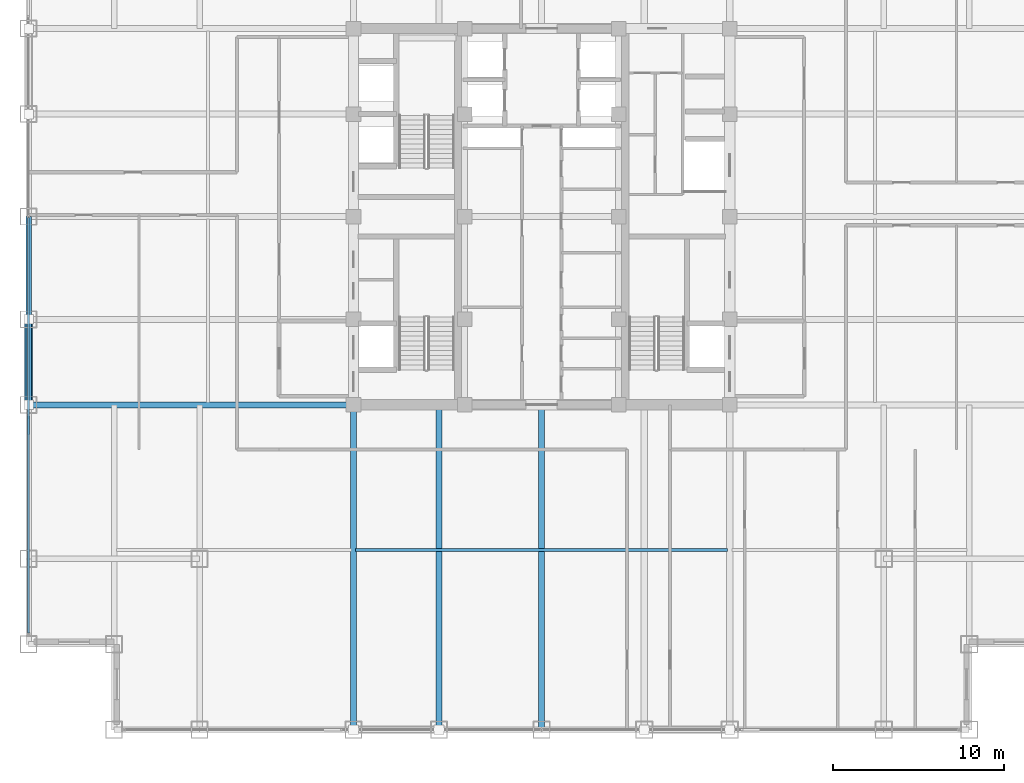
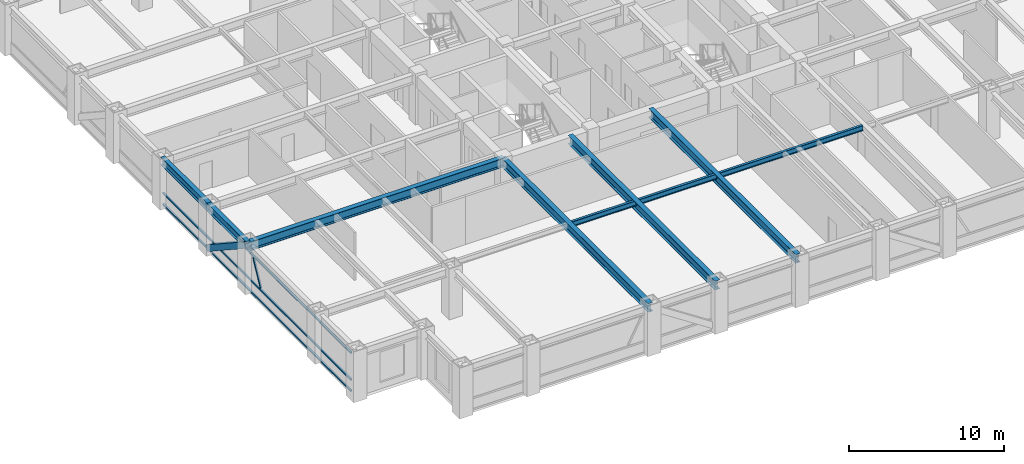
# One storey, part 5 of 25: 7 beams, 5 members, 1 element without a shape of its own.
"""IFC4 building model written with IfcOpenShell, lengths in metres."""

from ifc_helpers import new_model, si_unit, direction, frame, origin, origin_2d, place, context, subcontext, project, spatial, hollow_rectangle, i_section, extrude, source, transform, mapped, material, material_profile, profile_set, type_object, element, aggregate, save


model = new_model("IFC4")

# Units and contexts
model_context = context("Model", 3, precision=1e-05, world=origin(), true_north=direction((0.0, 1.0)))
body_context = subcontext(model_context, "Body", "Model", "MODEL_VIEW")
ifc_project = project(units=[si_unit("LENGTHUNIT", "METRE"), si_unit("AREAUNIT", "SQUARE_METRE"), si_unit("VOLUMEUNIT", "CUBIC_METRE"), si_unit("PLANEANGLEUNIT", "RADIAN"), si_unit("MASSUNIT", "GRAM", prefix="KILO")], contexts=[model_context])

# Site, building, storey
site_placement = place(None, origin())
site = spatial("IfcSite", under=ifc_project, at=site_placement, CompositionType="ELEMENT")
building_placement = place(site_placement, origin())
building = spatial("IfcBuilding", under=site, at=building_placement, Name="Khorayat Bourse Tower", CompositionType="ELEMENT")
storey_placement = place(building_placement, frame((0.0, 0.0, 231.10009765625)))
storey = spatial("IfcBuildingStorey", under=building, at=storey_placement, Name="L54", CompositionType="ELEMENT", Elevation=231.10009765625)

# Beams
ifc_material_1 = material(Name="Steel ASTM A992 Grade 50", Category="steel")
ifc_material_profile_1 = material_profile(ifc_material_1, i_section(OverallWidth=0.180908203125, OverallDepth=0.4169921875, WebThickness=0.010986328125, FlangeThickness=0.018310546875, FilletRadius=0.011962890625, at=origin_2d()), Name="W410X85")
ifc_profile_set_1 = profile_set([ifc_material_profile_1], Name="Steel ASTM A992 Grade 50")
beam_type_1 = type_object("IfcBeamType", Name="BM-JOIST-410", PredefinedType="JOIST", material=ifc_profile_set_1)
shared_shape_1 = source(origin(), body_context, "Body", "SweptSolid", [
    extrude(i_section(OverallWidth=0.180908203125, OverallDepth=0.4169921875, WebThickness=0.010986328125, FlangeThickness=0.018310546875, FilletRadius=0.011962890625, at=origin_2d()), origin(), (0.0, 0.0, 1.0), 21.740234375),
])
beam_1_placement = place(storey_placement, frame((-10.8701171875, -19.5, 3.5712890625), z_axis=(1.0, 0.0, 0.0), x_axis=(0.0, 1.0, 0.0)))
element("IfcBeam", 1, at=beam_1_placement, inside=storey, type_object=beam_type_1, Name="L54 BM-JOIST-410 BM-L54-JSTX-097", PredefinedType="JOIST", context=body_context, shape_type="MappedRepresentation", body=[
    mapped(shared_shape_1, transform((0.0, 0.0, 0.0), scale=1.0)),
])
ifc_material_profile_2 = material_profile(ifc_material_1, i_section(OverallWidth=0.324951171875, OverallDepth=0.615966796875, WebThickness=0.013916015625, FlangeThickness=0.021484375, FilletRadius=0.01611328125, at=origin_2d()), Name="W610X174")
ifc_profile_set_2 = profile_set([ifc_material_profile_2], Name="Steel ASTM A992 Grade 50")
beam_type_2 = type_object("IfcBeamType", Name="BM-SPAN-610", PredefinedType="SPANDREL", material=ifc_profile_set_2)
shared_shape_2 = source(origin(), body_context, "Body", "SweptSolid", [
    extrude(i_section(OverallWidth=0.324951171875, OverallDepth=0.615966796875, WebThickness=0.013916015625, FlangeThickness=0.021484375, FilletRadius=0.01611328125, at=origin_2d()), origin(), (0.0, 0.0, 1.0), 5.0),
])
beam_2_placement = place(storey_placement, frame((-30.0, -11.0, 3.471923828125), z_axis=(0.0, 1.0, 0.0), x_axis=(-1.0, 0.0, 0.0)))
element("IfcBeam", 2, at=beam_2_placement, inside=storey, type_object=beam_type_2, Name="L54 BM-SPAN-610 BM-L54-SPN-059", PredefinedType="SPANDREL", context=body_context, shape_type="MappedRepresentation", body=[
    mapped(shared_shape_2, transform((0.0, 0.0, 0.0), scale=1.0)),
])
shared_shape_3 = source(origin(), body_context, "Body", "SweptSolid", [
    extrude(i_section(OverallWidth=0.324951171875, OverallDepth=0.615966796875, WebThickness=0.013916015625, FlangeThickness=0.021484375, FilletRadius=0.01611328125, at=origin_2d()), origin(), (0.0, 0.0, 1.0), 6.0),
])
beam_3_placement = place(storey_placement, frame((-30.0, -6.0, 3.471923828125), z_axis=(0.0, 1.0, 0.0), x_axis=(-1.0, 0.0, 0.0)))
element("IfcBeam", 3, at=beam_3_placement, inside=storey, type_object=beam_type_2, Name="L54 BM-SPAN-610 BM-L54-SPN-058", PredefinedType="SPANDREL", context=body_context, shape_type="MappedRepresentation", body=[
    mapped(shared_shape_3, transform((0.0, 0.0, 0.0), scale=1.0)),
])
ifc_material_profile_3 = material_profile(ifc_material_1, i_section(OverallWidth=0.35498046875, OverallDepth=0.695068359375, WebThickness=0.015380859375, FlangeThickness=0.02490234375, FilletRadius=0.01806640625, at=origin_2d()), Name="W690X217")
ifc_profile_set_3 = profile_set([ifc_material_profile_3], Name="Steel ASTM A992 Grade 50")
beam_type_3 = type_object("IfcBeamType", Name="BM-GIRD-690", PredefinedType="BEAM", material=ifc_profile_set_3)
shared_shape_4 = source(origin(), body_context, "Body", "SweptSolid", [
    extrude(i_section(OverallWidth=0.35498046875, OverallDepth=0.695068359375, WebThickness=0.015380859375, FlangeThickness=0.02490234375, FilletRadius=0.01806640625, at=origin_2d()), origin(), (0.0, 0.0, 1.0), 19.0),
])
for number, where, z_axis, x_axis, name in (
    (4, (-11.0, -30.0, 3.432373046875), (0.0, 1.0, 0.0), (-1.0, 0.0, 0.0), "L54 BM-GIRD-690 BM-L54-RADY-065"),
    (5, (-6.0, -30.0, 3.432373046875), (0.0, 1.0, 0.0), (-1.0, 0.0, 0.0), "L54 BM-GIRD-690 BM-L54-RADY-067"),
    (6, (0.0, -30.0, 3.432373046875), (0.0, 1.0, 0.0), (-1.0, 0.0, 0.0), "L54 BM-GIRD-690 BM-L54-RADY-069"),
    (7, (-30.0, -11.0, 3.432373046875), (1.0, 0.0, 0.0), (0.0, 1.0, 0.0), "L54 BM-GIRD-690 BM-L54-RADX-075"),
):
    element("IfcBeam", number, at=place(storey_placement, frame(where, z_axis=z_axis, x_axis=x_axis)), inside=storey, type_object=beam_type_3, Name=name, PredefinedType="BEAM", context=body_context, shape_type="MappedRepresentation", body=[
        mapped(shared_shape_4, transform((0.0, 0.0, 0.0), scale=1.0)),
    ])

# Member
ifc_material_2 = material(Name="Steel EN 10025-4 S460M", Category="steel")
ifc_material_profile_4 = material_profile(ifc_material_2, hollow_rectangle(XDim=0.449951171875, YDim=0.449951171875, WallThickness=0.02490234375, at=origin_2d()), Name="HSS 450x450x25")
ifc_profile_set_4 = profile_set([ifc_material_profile_4], Name="Steel EN 10025-4 S460M")
member_type_1 = type_object("IfcMemberType", Name="MBR-TUBE-450", PredefinedType="BRACE", material=ifc_profile_set_4)
shared_shape_5 = source(origin(), body_context, "Body", "SweptSolid", [
    extrude(hollow_rectangle(XDim=0.449951171875, YDim=0.449951171875, WallThickness=0.02490234375, at=origin_2d()), origin(), (0.0, 0.0, 1.0), 5.979736328125),
])
member_1_placement = place(storey_placement, frame((-30.0, -11.0, 3.52978515625), z_axis=(0.0, 0.836160261256, -0.548485202623), x_axis=(-1.0, 0.0, 0.0)))
element("IfcMember", 8, at=member_1_placement, inside=storey, type_object=member_type_1, Name="L54 Perimeter Tube Brace 05", PredefinedType="BRACE", context=body_context, shape_type="MappedRepresentation", body=[
    mapped(shared_shape_5, transform((0.0, 0.0, 0.0), scale=1.0)),
])

# Curtain wall, members
ifc_material_3 = material(Name="Aluminium EN AW-6063 T6", Category="aluminium")
curtain_wall_type = type_object("IfcCurtainWallType", Name="CW-SYS-03", PredefinedType="NOTDEFINED", material=ifc_material_3)
curtain_wall_placement = place(storey_placement, origin())
curtain_wall = element("IfcCurtainWall", 9, at=curtain_wall_placement, inside=storey, type_object=curtain_wall_type, Name="L54 Curtain Wall CW-L54-W1", PredefinedType="NOTDEFINED")
ifc_material_profile_5 = material_profile(ifc_material_3, hollow_rectangle(XDim=0.1201171875, YDim=0.1201171875, WallThickness=0.0048828125, at=origin_2d()), Name="ALU 120x120x5")
ifc_profile_set_5 = profile_set([ifc_material_profile_5], Name="Aluminium EN AW-6063 T6")
member_type_2 = type_object("IfcMemberType", Name="CWM-DIAG-120", PredefinedType="MULLION", material=ifc_profile_set_5)
shared_shape_6 = source(origin(), body_context, "Body", "SweptSolid", [
    extrude(hollow_rectangle(XDim=0.1201171875, YDim=0.1201171875, WallThickness=0.0048828125, at=origin_2d()), origin(), (0.0, 0.0, 1.0), 2.079345703125),
])
member_2_placement = place(storey_placement, frame((-30.0, -12.67919921875, 1.08984375), z_axis=(0.0, 0.465760949701, 0.884910581773), x_axis=(-1.0, 0.0, 0.0)))
member_2 = element("IfcMember", 10, at=member_2_placement, type_object=member_type_2, Name="CW-L54-W1 Faceted Diagonal Mullion 1", PredefinedType="MULLION", context=body_context, shape_type="MappedRepresentation", body=[
    mapped(shared_shape_6, transform((0.0, 0.0, 0.0), scale=1.0)),
])
ifc_material_profile_6 = material_profile(ifc_material_3, hollow_rectangle(XDim=0.1201171875, YDim=0.1201171875, WallThickness=0.0048828125, at=origin_2d()), Name="ALU 120x120x5")
ifc_profile_set_6 = profile_set([ifc_material_profile_6], Name="Aluminium EN AW-6063 T6")
member_type_3 = type_object("IfcMemberType", Name="CWT-HORZ-120", PredefinedType="USERDEFINED", material=ifc_profile_set_6)
shared_shape_7 = source(origin(), body_context, "Body", "SweptSolid", [
    extrude(hollow_rectangle(XDim=0.1201171875, YDim=0.1201171875, WallThickness=0.0048828125, at=origin_2d()), origin(), (0.0, 0.0, 1.0), 24.27001953125),
])
member_3_placement = place(storey_placement, frame((-30.0, -24.330078125, 0.059814453125), z_axis=(0.0, 1.0, 0.0), x_axis=(-1.0, 0.0, 0.0)))
member_3 = element("IfcMember", 11, at=member_3_placement, type_object=member_type_3, Name="CW-L54-W1 Horizontal Transom 1-1", ObjectType="TRANSOM", PredefinedType="USERDEFINED", context=body_context, shape_type="MappedRepresentation", body=[
    mapped(shared_shape_7, transform((0.0, 0.0, 0.0), scale=1.0)),
])
member_4_placement = place(storey_placement, frame((-30.0, -24.330078125, 0.949951171875), z_axis=(0.0, 1.0, 0.0), x_axis=(-1.0, 0.0, 0.0)))
member_4 = element("IfcMember", 12, at=member_4_placement, type_object=member_type_3, Name="CW-L54-W1 Horizontal Transom 1-2", ObjectType="TRANSOM", PredefinedType="USERDEFINED", context=body_context, shape_type="MappedRepresentation", body=[
    mapped(shared_shape_7, transform((0.0, 0.0, 0.0), scale=1.0)),
])
member_5_placement = place(storey_placement, frame((-30.0, -24.330078125, 3.06982421875), z_axis=(0.0, 1.0, 0.0), x_axis=(-1.0, 0.0, 0.0)))
member_5 = element("IfcMember", 13, at=member_5_placement, type_object=member_type_3, Name="CW-L54-W1 Horizontal Transom 1-3", ObjectType="TRANSOM", PredefinedType="USERDEFINED", context=body_context, shape_type="MappedRepresentation", body=[
    mapped(shared_shape_7, transform((0.0, 0.0, 0.0), scale=1.0)),
])
aggregate(curtain_wall, [member_3, member_4, member_5, member_2])

save(model, "model.ifc")
